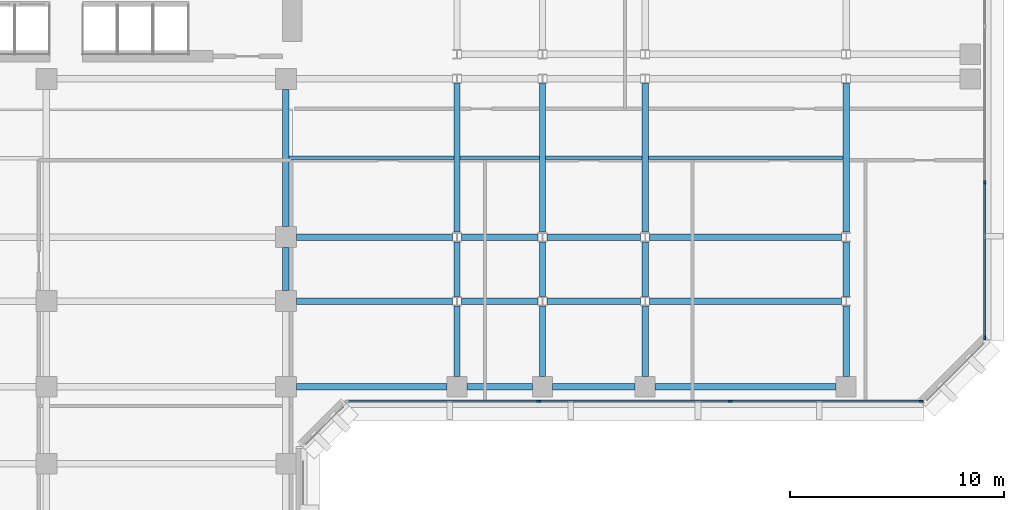
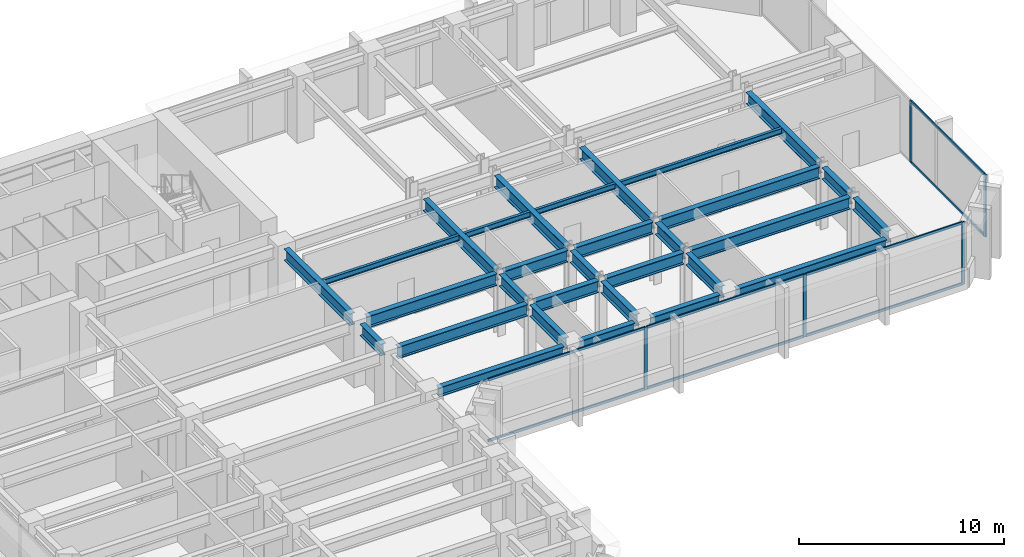
# One storey, part 3 of 13: 30 beams, 13 members, 2 elements without a shape of their own.
"""IFC4 building model written with IfcOpenShell, lengths in metres."""

from ifc_helpers import new_model, si_unit, direction, frame, origin, origin_2d, place, context, subcontext, project, spatial, rectangle, i_section, extrude, material, layer, layer_set, material_profile, profile_set, type_object, element, aggregate, save


model = new_model("IFC4")

# Units and contexts
model_context = context("Model", 3, precision=1e-05, world=origin(), true_north=direction((0.0, 1.0)))
body_context = subcontext(model_context, "Body", "Model", "MODEL_VIEW")
ifc_project = project(units=[si_unit("LENGTHUNIT", "METRE"), si_unit("AREAUNIT", "SQUARE_METRE"), si_unit("VOLUMEUNIT", "CUBIC_METRE"), si_unit("PLANEANGLEUNIT", "RADIAN"), si_unit("MASSUNIT", "GRAM", prefix="KILO")], contexts=[model_context])

# Site, building, storey
site_placement = place(None, origin())
site = spatial("IfcSite", under=ifc_project, at=site_placement, CompositionType="ELEMENT")
building_placement = place(site_placement, origin())
building = spatial("IfcBuilding", under=site, at=building_placement, Name="Kefirva Bronze Tower", CompositionType="ELEMENT")
storey_placement = place(building_placement, frame((0.0, 0.0, 102.6298828125)))
storey = spatial("IfcBuildingStorey", under=building, at=storey_placement, Name="L24", CompositionType="ELEMENT", Elevation=102.6298828125)

# Curtain wall, members
ifc_material_1 = material(Name="Bronze anodised aluminium", Category="aluminium")
ifc_layer = layer(ifc_material_1, 0.199951171875, Name="Bronze anodised aluminium")
ifc_layer_set = layer_set([ifc_layer], Name="Bronze anodised aluminium")
curtain_wall_type = type_object("IfcCurtainWallType", Name="Unitised Bronze Ribbon Curtain Wall Zone 1", PredefinedType="USERDEFINED", material=ifc_layer_set)
curtain_wall_1_placement = place(storey_placement, origin())
curtain_wall_1 = element("IfcCurtainWall", 1, at=curtain_wall_1_placement, inside=storey, type_object=curtain_wall_type, Name="L24 Curtain Wall 1", ObjectType="UNITISED CURTAIN WALL", PredefinedType="USERDEFINED")
ifc_material_profile_1 = material_profile(ifc_material_1, rectangle(XDim=0.074951171875, YDim=0.179931640625, at=origin_2d()), Name="ALU 75x180")
ifc_profile_set_1 = profile_set([ifc_material_profile_1], Name="Bronze anodised aluminium")
member_type_1 = type_object("IfcMemberType", Name="Bronze Mullion 75x180", PredefinedType="MULLION", material=ifc_profile_set_1)
member_1_placement = place(storey_placement, frame((35.018310546875, 18.1201171875, 0.0), z_axis=(0.0, 0.0, 1.0), x_axis=(0.0, 1.0, 0.0)))
member_1 = element("IfcMember", 2, at=member_1_placement, type_object=member_type_1, Name="CW-01 mullion 2", PredefinedType="MULLION", context=body_context, shape_type="SweptSolid", body=[
    extrude(rectangle(XDim=0.074951171875, YDim=0.179931640625, at=origin_2d()), origin(), (0.0, 0.0, 1.0), 3.710205078125),
])
member_2_placement = place(storey_placement, frame((43.981689453125, 18.1201171875, 0.0), z_axis=(0.0, 0.0, 1.0), x_axis=(0.0, 1.0, 0.0)))
member_2 = element("IfcMember", 3, at=member_2_placement, type_object=member_type_1, Name="CW-01 mullion 3", PredefinedType="MULLION", context=body_context, shape_type="SweptSolid", body=[
    extrude(rectangle(XDim=0.074951171875, YDim=0.179931640625, at=origin_2d()), origin(), (0.0, 0.0, 1.0), 3.710205078125),
])
member_3_placement = place(storey_placement, frame((52.907470703125, 18.1201171875, 0.0), z_axis=(0.0, 0.0, 1.0), x_axis=(0.0, 1.0, 0.0)))
member_3 = element("IfcMember", 4, at=member_3_placement, type_object=member_type_1, Name="CW-01 mullion 4", PredefinedType="MULLION", context=body_context, shape_type="SweptSolid", body=[
    extrude(rectangle(XDim=0.074951171875, YDim=0.179931640625, at=origin_2d()), origin(), (0.0, 0.0, 1.0), 3.710205078125),
])

curtain_wall_2_placement = place(storey_placement, origin())
curtain_wall_2 = element("IfcCurtainWall", 5, at=curtain_wall_2_placement, inside=storey, type_object=curtain_wall_type, Name="L24 Curtain Wall 2", ObjectType="UNITISED CURTAIN WALL", PredefinedType="USERDEFINED")
member_4_placement = place(storey_placement, frame((55.8798828125, 21.092529296875, 0.0), z_axis=(0.0, 0.0, 1.0), x_axis=(-1.0, 0.0, 0.0)))
member_4 = element("IfcMember", 6, at=member_4_placement, type_object=member_type_1, Name="CW-01 mullion 1", PredefinedType="MULLION", context=body_context, shape_type="SweptSolid", body=[
    extrude(rectangle(XDim=0.074951171875, YDim=0.179931640625, at=origin_2d()), origin(), (0.0, 0.0, 1.0), 3.710205078125),
])
member_5_placement = place(storey_placement, frame((55.8798828125, 28.3515625, 0.0), z_axis=(0.0, 0.0, 1.0), x_axis=(-1.0, 0.0, 0.0)))
member_5 = element("IfcMember", 7, at=member_5_placement, type_object=member_type_1, Name="CW-01 mullion 2", PredefinedType="MULLION", context=body_context, shape_type="SweptSolid", body=[
    extrude(rectangle(XDim=0.074951171875, YDim=0.179931640625, at=origin_2d()), origin(), (0.0, 0.0, 1.0), 3.710205078125),
])

# Member
ifc_material_profile_2 = material_profile(ifc_material_1, rectangle(XDim=0.074951171875, YDim=0.14990234375, at=origin_2d()), Name="ALU 75x150")
ifc_profile_set_2 = profile_set([ifc_material_profile_2], Name="Bronze anodised aluminium")
member_type_2 = type_object("IfcMemberType", Name="Bronze Transom 75x150", PredefinedType="USERDEFINED", material=ifc_profile_set_2)
member_6_placement = place(storey_placement, frame((26.1298828125, 18.1201171875, 0.03759765625), z_axis=(1.0, 0.0, 0.0), x_axis=(0.0, 1.0, 0.0)))
member_6 = element("IfcMember", 8, at=member_6_placement, type_object=member_type_2, Name="CW-01 transom 1.1", ObjectType="TRANSOM", PredefinedType="USERDEFINED", context=body_context, shape_type="SweptSolid", body=[
    extrude(rectangle(XDim=0.074951171875, YDim=0.14990234375, at=origin_2d()), origin(), (0.0, 0.0, 1.0), 8.850830078125),
])

member_7_placement = place(storey_placement, frame((26.1298828125, 18.1201171875, 3.672607421875), z_axis=(1.0, 0.0, 0.0), x_axis=(0.0, 1.0, 0.0)))
member_7 = element("IfcMember", 9, at=member_7_placement, type_object=member_type_2, Name="CW-01 transom 1.2", ObjectType="TRANSOM", PredefinedType="USERDEFINED", context=body_context, shape_type="SweptSolid", body=[
    extrude(rectangle(XDim=0.074951171875, YDim=0.14990234375, at=origin_2d()), origin(), (0.0, 0.0, 1.0), 8.850830078125),
])

member_8_placement = place(storey_placement, frame((35.055908203125, 18.1201171875, 0.03759765625), z_axis=(1.0, 0.0, 0.0), x_axis=(0.0, 1.0, 0.0)))
member_8 = element("IfcMember", 10, at=member_8_placement, type_object=member_type_2, Name="CW-01 transom 2.1", ObjectType="TRANSOM", PredefinedType="USERDEFINED", context=body_context, shape_type="SweptSolid", body=[
    extrude(rectangle(XDim=0.074951171875, YDim=0.14990234375, at=origin_2d()), origin(), (0.0, 0.0, 1.0), 8.88818359375),
])

member_9_placement = place(storey_placement, frame((35.055908203125, 18.1201171875, 3.672607421875), z_axis=(1.0, 0.0, 0.0), x_axis=(0.0, 1.0, 0.0)))
member_9 = element("IfcMember", 11, at=member_9_placement, type_object=member_type_2, Name="CW-01 transom 2.2", ObjectType="TRANSOM", PredefinedType="USERDEFINED", context=body_context, shape_type="SweptSolid", body=[
    extrude(rectangle(XDim=0.074951171875, YDim=0.14990234375, at=origin_2d()), origin(), (0.0, 0.0, 1.0), 8.88818359375),
])

member_10_placement = place(storey_placement, frame((44.019287109375, 18.1201171875, 0.03759765625), z_axis=(1.0, 0.0, 0.0), x_axis=(0.0, 1.0, 0.0)))
member_10 = element("IfcMember", 12, at=member_10_placement, type_object=member_type_2, Name="CW-01 transom 3.1", ObjectType="TRANSOM", PredefinedType="USERDEFINED", context=body_context, shape_type="SweptSolid", body=[
    extrude(rectangle(XDim=0.074951171875, YDim=0.14990234375, at=origin_2d()), origin(), (0.0, 0.0, 1.0), 8.850830078125),
])

member_11_placement = place(storey_placement, frame((44.019287109375, 18.1201171875, 3.672607421875), z_axis=(1.0, 0.0, 0.0), x_axis=(0.0, 1.0, 0.0)))
member_11 = element("IfcMember", 13, at=member_11_placement, type_object=member_type_2, Name="CW-01 transom 3.2", ObjectType="TRANSOM", PredefinedType="USERDEFINED", context=body_context, shape_type="SweptSolid", body=[
    extrude(rectangle(XDim=0.074951171875, YDim=0.14990234375, at=origin_2d()), origin(), (0.0, 0.0, 1.0), 8.850830078125),
])

aggregate(curtain_wall_1, [member_1, member_2, member_3, member_6, member_7, member_8, member_9, member_10, member_11])

member_12_placement = place(storey_placement, frame((55.8798828125, 21.1298828125, 0.03759765625), z_axis=(0.0, 1.0, 0.0), x_axis=(-1.0, 0.0, 0.0)))
member_12 = element("IfcMember", 14, at=member_12_placement, type_object=member_type_2, Name="CW-01 transom 1.1", ObjectType="TRANSOM", PredefinedType="USERDEFINED", context=body_context, shape_type="SweptSolid", body=[
    extrude(rectangle(XDim=0.074951171875, YDim=0.14990234375, at=origin_2d()), origin(), (0.0, 0.0, 1.0), 7.184326171875),
])

member_13_placement = place(storey_placement, frame((55.8798828125, 21.1298828125, 3.672607421875), z_axis=(0.0, 1.0, 0.0), x_axis=(-1.0, 0.0, 0.0)))
member_13 = element("IfcMember", 15, at=member_13_placement, type_object=member_type_2, Name="CW-01 transom 1.2", ObjectType="TRANSOM", PredefinedType="USERDEFINED", context=body_context, shape_type="SweptSolid", body=[
    extrude(rectangle(XDim=0.074951171875, YDim=0.14990234375, at=origin_2d()), origin(), (0.0, 0.0, 1.0), 7.184326171875),
])

aggregate(curtain_wall_2, [member_4, member_5, member_12, member_13])

# Beams
ifc_material_2 = material(Name="Steel S355", Category="steel")
ifc_material_profile_3 = material_profile(ifc_material_2, i_section(OverallWidth=0.159912109375, OverallDepth=0.330078125, WebThickness=0.007568359375, FlangeThickness=0.011474609375, at=origin_2d()), Name="IPE 330")
ifc_profile_set_3 = profile_set([ifc_material_profile_3], Name="Steel S355")
beam_type_1 = type_object("IfcBeamType", Name="Steel Floor Joist IPE 330", PredefinedType="JOIST", material=ifc_profile_set_3)
beam_1_placement = place(storey_placement, frame((23.35009765625, 29.5, 3.545166015625), z_axis=(1.0, 0.0, 0.0), x_axis=(0.0, 1.0, 0.0)))
element("IfcBeam", 16, at=beam_1_placement, inside=storey, type_object=beam_type_1, Name="L24 JST-L24-23-295", PredefinedType="JOIST", context=body_context, shape_type="SweptSolid", body=[
    extrude(i_section(OverallWidth=0.159912109375, OverallDepth=0.330078125, WebThickness=0.007568359375, FlangeThickness=0.011474609375, at=origin_2d()), origin(), (0.0, 0.0, 1.0), 7.699951171875),
])
beam_2_placement = place(storey_placement, frame((31.35009765625, 29.5, 3.545166015625), z_axis=(1.0, 0.0, 0.0), x_axis=(0.0, 1.0, 0.0)))
element("IfcBeam", 17, at=beam_2_placement, inside=storey, type_object=beam_type_1, Name="L24 JST-L24-31-295", PredefinedType="JOIST", context=body_context, shape_type="SweptSolid", body=[
    extrude(i_section(OverallWidth=0.159912109375, OverallDepth=0.330078125, WebThickness=0.007568359375, FlangeThickness=0.011474609375, at=origin_2d()), origin(), (0.0, 0.0, 1.0), 3.699951171875),
])
beam_3_placement = place(storey_placement, frame((35.35009765625, 29.5, 3.545166015625), z_axis=(1.0, 0.0, 0.0), x_axis=(0.0, 1.0, 0.0)))
element("IfcBeam", 18, at=beam_3_placement, inside=storey, type_object=beam_type_1, Name="L24 JST-L24-35-295", PredefinedType="JOIST", context=body_context, shape_type="SweptSolid", body=[
    extrude(i_section(OverallWidth=0.159912109375, OverallDepth=0.330078125, WebThickness=0.007568359375, FlangeThickness=0.011474609375, at=origin_2d()), origin(), (0.0, 0.0, 1.0), 4.5),
])
beam_4_placement = place(storey_placement, frame((40.14990234375, 29.5, 3.545166015625), z_axis=(1.0, 0.0, 0.0), x_axis=(0.0, 1.0, 0.0)))
element("IfcBeam", 19, at=beam_4_placement, inside=storey, type_object=beam_type_1, Name="L24 JST-L24-40-295", PredefinedType="JOIST", context=body_context, shape_type="SweptSolid", body=[
    extrude(i_section(OverallWidth=0.159912109375, OverallDepth=0.330078125, WebThickness=0.007568359375, FlangeThickness=0.011474609375, at=origin_2d()), origin(), (0.0, 0.0, 1.0), 9.10009765625),
])
ifc_material_profile_4 = material_profile(ifc_material_2, i_section(OverallWidth=0.300048828125, OverallDepth=0.699951171875, WebThickness=0.01708984375, FlangeThickness=0.031982421875, at=origin_2d()), Name="HEB 700")
ifc_profile_set_4 = profile_set([ifc_material_profile_4], Name="Steel S355")
beam_type_2 = type_object("IfcBeamType", Name="Steel Girder HEB 700", PredefinedType="USERDEFINED", material=ifc_profile_set_4)
beam_5_placement = place(storey_placement, frame((23.68994140625, 22.800048828125, 3.360107421875), z_axis=(1.0, 0.0, 0.0), x_axis=(0.0, 1.0, 0.0)))
element("IfcBeam", 20, at=beam_5_placement, inside=storey, type_object=beam_type_2, Name="L24 BM-L24-EW-23-228", ObjectType="GIRDER", PredefinedType="USERDEFINED", context=body_context, shape_type="SweptSolid", body=[
    extrude(i_section(OverallWidth=0.300048828125, OverallDepth=0.699951171875, WebThickness=0.01708984375, FlangeThickness=0.031982421875, at=origin_2d()), origin(), (0.0, 0.0, 1.0), 7.301025390625),
])
beam_6_placement = place(storey_placement, frame((31.408935546875, 22.800048828125, 3.360107421875), z_axis=(1.0, 0.0, 0.0), x_axis=(0.0, 1.0, 0.0)))
element("IfcBeam", 21, at=beam_6_placement, inside=storey, type_object=beam_type_2, Name="L24 BM-L24-EW-31-228", ObjectType="GIRDER", PredefinedType="USERDEFINED", context=body_context, shape_type="SweptSolid", body=[
    extrude(i_section(OverallWidth=0.300048828125, OverallDepth=0.699951171875, WebThickness=0.01708984375, FlangeThickness=0.031982421875, at=origin_2d()), origin(), (0.0, 0.0, 1.0), 3.58203125),
])
beam_7_placement = place(storey_placement, frame((35.408935546875, 22.800048828125, 3.360107421875), z_axis=(1.0, 0.0, 0.0), x_axis=(0.0, 1.0, 0.0)))
element("IfcBeam", 22, at=beam_7_placement, inside=storey, type_object=beam_type_2, Name="L24 BM-L24-EW-35-228", ObjectType="GIRDER", PredefinedType="USERDEFINED", context=body_context, shape_type="SweptSolid", body=[
    extrude(i_section(OverallWidth=0.300048828125, OverallDepth=0.699951171875, WebThickness=0.01708984375, FlangeThickness=0.031982421875, at=origin_2d()), origin(), (0.0, 0.0, 1.0), 4.382080078125),
])
beam_8_placement = place(storey_placement, frame((40.208984375, 22.800048828125, 3.360107421875), z_axis=(1.0, 0.0, 0.0), x_axis=(0.0, 1.0, 0.0)))
element("IfcBeam", 23, at=beam_8_placement, inside=storey, type_object=beam_type_2, Name="L24 BM-L24-EW-40-228", ObjectType="GIRDER", PredefinedType="USERDEFINED", context=body_context, shape_type="SweptSolid", body=[
    extrude(i_section(OverallWidth=0.300048828125, OverallDepth=0.699951171875, WebThickness=0.01708984375, FlangeThickness=0.031982421875, at=origin_2d()), origin(), (0.0, 0.0, 1.0), 8.98193359375),
])
beam_9_placement = place(storey_placement, frame((23.68994140625, 25.800048828125, 3.360107421875), z_axis=(1.0, 0.0, 0.0), x_axis=(0.0, 1.0, 0.0)))
element("IfcBeam", 24, at=beam_9_placement, inside=storey, type_object=beam_type_2, Name="L24 BM-L24-EW-23-258", ObjectType="GIRDER", PredefinedType="USERDEFINED", context=body_context, shape_type="SweptSolid", body=[
    extrude(i_section(OverallWidth=0.300048828125, OverallDepth=0.699951171875, WebThickness=0.01708984375, FlangeThickness=0.031982421875, at=origin_2d()), origin(), (0.0, 0.0, 1.0), 7.301025390625),
])
beam_10_placement = place(storey_placement, frame((31.408935546875, 25.800048828125, 3.360107421875), z_axis=(1.0, 0.0, 0.0), x_axis=(0.0, 1.0, 0.0)))
element("IfcBeam", 25, at=beam_10_placement, inside=storey, type_object=beam_type_2, Name="L24 BM-L24-EW-31-258", ObjectType="GIRDER", PredefinedType="USERDEFINED", context=body_context, shape_type="SweptSolid", body=[
    extrude(i_section(OverallWidth=0.300048828125, OverallDepth=0.699951171875, WebThickness=0.01708984375, FlangeThickness=0.031982421875, at=origin_2d()), origin(), (0.0, 0.0, 1.0), 3.58203125),
])
beam_11_placement = place(storey_placement, frame((35.408935546875, 25.800048828125, 3.360107421875), z_axis=(1.0, 0.0, 0.0), x_axis=(0.0, 1.0, 0.0)))
element("IfcBeam", 26, at=beam_11_placement, inside=storey, type_object=beam_type_2, Name="L24 BM-L24-EW-35-258", ObjectType="GIRDER", PredefinedType="USERDEFINED", context=body_context, shape_type="SweptSolid", body=[
    extrude(i_section(OverallWidth=0.300048828125, OverallDepth=0.699951171875, WebThickness=0.01708984375, FlangeThickness=0.031982421875, at=origin_2d()), origin(), (0.0, 0.0, 1.0), 4.382080078125),
])
beam_12_placement = place(storey_placement, frame((40.208984375, 25.800048828125, 3.360107421875), z_axis=(1.0, 0.0, 0.0), x_axis=(0.0, 1.0, 0.0)))
element("IfcBeam", 27, at=beam_12_placement, inside=storey, type_object=beam_type_2, Name="L24 BM-L24-EW-40-258", ObjectType="GIRDER", PredefinedType="USERDEFINED", context=body_context, shape_type="SweptSolid", body=[
    extrude(i_section(OverallWidth=0.300048828125, OverallDepth=0.699951171875, WebThickness=0.01708984375, FlangeThickness=0.031982421875, at=origin_2d()), origin(), (0.0, 0.0, 1.0), 8.98193359375),
])
beam_13_placement = place(storey_placement, frame((23.199951171875, 23.2900390625, 3.360107421875), z_axis=(0.0, 1.0, 0.0), x_axis=(-1.0, 0.0, 0.0)))
element("IfcBeam", 28, at=beam_13_placement, inside=storey, type_object=beam_type_2, Name="L24 BM-L24-NS-232-22", ObjectType="GIRDER", PredefinedType="USERDEFINED", context=body_context, shape_type="SweptSolid", body=[
    extrude(i_section(OverallWidth=0.300048828125, OverallDepth=0.699951171875, WebThickness=0.01708984375, FlangeThickness=0.031982421875, at=origin_2d()), origin(), (0.0, 0.0, 1.0), 2.02001953125),
])
beam_14_placement = place(storey_placement, frame((23.199951171875, 26.2900390625, 3.360107421875), z_axis=(0.0, 1.0, 0.0), x_axis=(-1.0, 0.0, 0.0)))
element("IfcBeam", 29, at=beam_14_placement, inside=storey, type_object=beam_type_2, Name="L24 BM-L24-NS-232-25", ObjectType="GIRDER", PredefinedType="USERDEFINED", context=body_context, shape_type="SweptSolid", body=[
    extrude(i_section(OverallWidth=0.300048828125, OverallDepth=0.699951171875, WebThickness=0.01708984375, FlangeThickness=0.031982421875, at=origin_2d()), origin(), (0.0, 0.0, 1.0), 6.419921875),
])
beam_15_placement = place(storey_placement, frame((31.199951171875, 19.27001953125, 3.360107421875), z_axis=(0.0, 1.0, 0.0), x_axis=(-1.0, 0.0, 0.0)))
element("IfcBeam", 30, at=beam_15_placement, inside=storey, type_object=beam_type_2, Name="L24 BM-L24-NS-312-18", ObjectType="GIRDER", PredefinedType="USERDEFINED", context=body_context, shape_type="SweptSolid", body=[
    extrude(i_section(OverallWidth=0.300048828125, OverallDepth=0.699951171875, WebThickness=0.01708984375, FlangeThickness=0.031982421875, at=origin_2d()), origin(), (0.0, 0.0, 1.0), 3.302490234375),
])
beam_16_placement = place(storey_placement, frame((31.199951171875, 23.027587890625, 3.360107421875), z_axis=(0.0, 1.0, 0.0), x_axis=(-1.0, 0.0, 0.0)))
element("IfcBeam", 31, at=beam_16_placement, inside=storey, type_object=beam_type_2, Name="L24 BM-L24-NS-312-22", ObjectType="GIRDER", PredefinedType="USERDEFINED", context=body_context, shape_type="SweptSolid", body=[
    extrude(i_section(OverallWidth=0.300048828125, OverallDepth=0.699951171875, WebThickness=0.01708984375, FlangeThickness=0.031982421875, at=origin_2d()), origin(), (0.0, 0.0, 1.0), 2.544921875),
])
beam_17_placement = place(storey_placement, frame((31.199951171875, 26.027587890625, 3.360107421875), z_axis=(0.0, 1.0, 0.0), x_axis=(-1.0, 0.0, 0.0)))
element("IfcBeam", 32, at=beam_17_placement, inside=storey, type_object=beam_type_2, Name="L24 BM-L24-NS-312-25", ObjectType="GIRDER", PredefinedType="USERDEFINED", context=body_context, shape_type="SweptSolid", body=[
    extrude(i_section(OverallWidth=0.300048828125, OverallDepth=0.699951171875, WebThickness=0.01708984375, FlangeThickness=0.031982421875, at=origin_2d()), origin(), (0.0, 0.0, 1.0), 6.94482421875),
])
beam_18_placement = place(storey_placement, frame((35.199951171875, 19.27001953125, 3.360107421875), z_axis=(0.0, 1.0, 0.0), x_axis=(-1.0, 0.0, 0.0)))
element("IfcBeam", 33, at=beam_18_placement, inside=storey, type_object=beam_type_2, Name="L24 BM-L24-NS-352-18", ObjectType="GIRDER", PredefinedType="USERDEFINED", context=body_context, shape_type="SweptSolid", body=[
    extrude(i_section(OverallWidth=0.300048828125, OverallDepth=0.699951171875, WebThickness=0.01708984375, FlangeThickness=0.031982421875, at=origin_2d()), origin(), (0.0, 0.0, 1.0), 3.302490234375),
])
beam_19_placement = place(storey_placement, frame((35.199951171875, 23.027587890625, 3.360107421875), z_axis=(0.0, 1.0, 0.0), x_axis=(-1.0, 0.0, 0.0)))
element("IfcBeam", 34, at=beam_19_placement, inside=storey, type_object=beam_type_2, Name="L24 BM-L24-NS-352-22", ObjectType="GIRDER", PredefinedType="USERDEFINED", context=body_context, shape_type="SweptSolid", body=[
    extrude(i_section(OverallWidth=0.300048828125, OverallDepth=0.699951171875, WebThickness=0.01708984375, FlangeThickness=0.031982421875, at=origin_2d()), origin(), (0.0, 0.0, 1.0), 2.544921875),
])
beam_20_placement = place(storey_placement, frame((35.199951171875, 26.027587890625, 3.360107421875), z_axis=(0.0, 1.0, 0.0), x_axis=(-1.0, 0.0, 0.0)))
element("IfcBeam", 35, at=beam_20_placement, inside=storey, type_object=beam_type_2, Name="L24 BM-L24-NS-352-25", ObjectType="GIRDER", PredefinedType="USERDEFINED", context=body_context, shape_type="SweptSolid", body=[
    extrude(i_section(OverallWidth=0.300048828125, OverallDepth=0.699951171875, WebThickness=0.01708984375, FlangeThickness=0.031982421875, at=origin_2d()), origin(), (0.0, 0.0, 1.0), 6.94482421875),
])
beam_21_placement = place(storey_placement, frame((40.0, 19.27001953125, 3.360107421875), z_axis=(0.0, 1.0, 0.0), x_axis=(-1.0, 0.0, 0.0)))
element("IfcBeam", 36, at=beam_21_placement, inside=storey, type_object=beam_type_2, Name="L24 BM-L24-NS-400-18", ObjectType="GIRDER", PredefinedType="USERDEFINED", context=body_context, shape_type="SweptSolid", body=[
    extrude(i_section(OverallWidth=0.300048828125, OverallDepth=0.699951171875, WebThickness=0.01708984375, FlangeThickness=0.031982421875, at=origin_2d()), origin(), (0.0, 0.0, 1.0), 3.302490234375),
])
beam_22_placement = place(storey_placement, frame((40.0, 23.027587890625, 3.360107421875), z_axis=(0.0, 1.0, 0.0), x_axis=(-1.0, 0.0, 0.0)))
element("IfcBeam", 37, at=beam_22_placement, inside=storey, type_object=beam_type_2, Name="L24 BM-L24-NS-400-22", ObjectType="GIRDER", PredefinedType="USERDEFINED", context=body_context, shape_type="SweptSolid", body=[
    extrude(i_section(OverallWidth=0.300048828125, OverallDepth=0.699951171875, WebThickness=0.01708984375, FlangeThickness=0.031982421875, at=origin_2d()), origin(), (0.0, 0.0, 1.0), 2.544921875),
])
beam_23_placement = place(storey_placement, frame((40.0, 26.027587890625, 3.360107421875), z_axis=(0.0, 1.0, 0.0), x_axis=(-1.0, 0.0, 0.0)))
element("IfcBeam", 38, at=beam_23_placement, inside=storey, type_object=beam_type_2, Name="L24 BM-L24-NS-400-25", ObjectType="GIRDER", PredefinedType="USERDEFINED", context=body_context, shape_type="SweptSolid", body=[
    extrude(i_section(OverallWidth=0.300048828125, OverallDepth=0.699951171875, WebThickness=0.01708984375, FlangeThickness=0.031982421875, at=origin_2d()), origin(), (0.0, 0.0, 1.0), 6.94482421875),
])
beam_24_placement = place(storey_placement, frame((49.39990234375, 19.27001953125, 3.360107421875), z_axis=(0.0, 1.0, 0.0), x_axis=(-1.0, 0.0, 0.0)))
element("IfcBeam", 39, at=beam_24_placement, inside=storey, type_object=beam_type_2, Name="L24 BM-L24-NS-494-18", ObjectType="GIRDER", PredefinedType="USERDEFINED", context=body_context, shape_type="SweptSolid", body=[
    extrude(i_section(OverallWidth=0.300048828125, OverallDepth=0.699951171875, WebThickness=0.01708984375, FlangeThickness=0.031982421875, at=origin_2d()), origin(), (0.0, 0.0, 1.0), 3.302490234375),
])
beam_25_placement = place(storey_placement, frame((49.39990234375, 23.027587890625, 3.360107421875), z_axis=(0.0, 1.0, 0.0), x_axis=(-1.0, 0.0, 0.0)))
element("IfcBeam", 40, at=beam_25_placement, inside=storey, type_object=beam_type_2, Name="L24 BM-L24-NS-494-22", ObjectType="GIRDER", PredefinedType="USERDEFINED", context=body_context, shape_type="SweptSolid", body=[
    extrude(i_section(OverallWidth=0.300048828125, OverallDepth=0.699951171875, WebThickness=0.01708984375, FlangeThickness=0.031982421875, at=origin_2d()), origin(), (0.0, 0.0, 1.0), 2.544921875),
])
beam_26_placement = place(storey_placement, frame((49.39990234375, 26.027587890625, 3.360107421875), z_axis=(0.0, 1.0, 0.0), x_axis=(-1.0, 0.0, 0.0)))
element("IfcBeam", 41, at=beam_26_placement, inside=storey, type_object=beam_type_2, Name="L24 BM-L24-NS-494-25", ObjectType="GIRDER", PredefinedType="USERDEFINED", context=body_context, shape_type="SweptSolid", body=[
    extrude(i_section(OverallWidth=0.300048828125, OverallDepth=0.699951171875, WebThickness=0.01708984375, FlangeThickness=0.031982421875, at=origin_2d()), origin(), (0.0, 0.0, 1.0), 6.94482421875),
])
ifc_material_profile_5 = material_profile(ifc_material_2, i_section(OverallWidth=0.300048828125, OverallDepth=0.550048828125, WebThickness=0.014892578125, FlangeThickness=0.029052734375, at=origin_2d()), Name="HEB 550")
ifc_profile_set_5 = profile_set([ifc_material_profile_5], Name="Steel S355")
beam_type_3 = type_object("IfcBeamType", Name="Steel Spandrel HEB 550 Ext", PredefinedType="SPANDREL", material=ifc_profile_set_5)
beam_27_placement = place(storey_placement, frame((23.68994140625, 18.800048828125, 3.43505859375), z_axis=(1.0, 0.0, 0.0), x_axis=(0.0, 1.0, 0.0)))
element("IfcBeam", 42, at=beam_27_placement, inside=storey, type_object=beam_type_3, Name="L24 BM-L24-EW-23-188", PredefinedType="SPANDREL", context=body_context, shape_type="SweptSolid", body=[
    extrude(i_section(OverallWidth=0.300048828125, OverallDepth=0.550048828125, WebThickness=0.014892578125, FlangeThickness=0.029052734375, at=origin_2d()), origin(), (0.0, 0.0, 1.0), 7.0400390625),
])
beam_28_placement = place(storey_placement, frame((31.669921875, 18.800048828125, 3.43505859375), z_axis=(1.0, 0.0, 0.0), x_axis=(0.0, 1.0, 0.0)))
element("IfcBeam", 43, at=beam_28_placement, inside=storey, type_object=beam_type_3, Name="L24 BM-L24-EW-31-188", PredefinedType="SPANDREL", context=body_context, shape_type="SweptSolid", body=[
    extrude(i_section(OverallWidth=0.300048828125, OverallDepth=0.550048828125, WebThickness=0.014892578125, FlangeThickness=0.029052734375, at=origin_2d()), origin(), (0.0, 0.0, 1.0), 3.06005859375),
])
beam_29_placement = place(storey_placement, frame((35.669921875, 18.800048828125, 3.43505859375), z_axis=(1.0, 0.0, 0.0), x_axis=(0.0, 1.0, 0.0)))
element("IfcBeam", 44, at=beam_29_placement, inside=storey, type_object=beam_type_3, Name="L24 BM-L24-EW-35-188", PredefinedType="SPANDREL", context=body_context, shape_type="SweptSolid", body=[
    extrude(i_section(OverallWidth=0.300048828125, OverallDepth=0.550048828125, WebThickness=0.014892578125, FlangeThickness=0.029052734375, at=origin_2d()), origin(), (0.0, 0.0, 1.0), 3.860107421875),
])
beam_30_placement = place(storey_placement, frame((40.469970703125, 18.800048828125, 3.43505859375), z_axis=(1.0, 0.0, 0.0), x_axis=(0.0, 1.0, 0.0)))
element("IfcBeam", 45, at=beam_30_placement, inside=storey, type_object=beam_type_3, Name="L24 BM-L24-EW-40-188", PredefinedType="SPANDREL", context=body_context, shape_type="SweptSolid", body=[
    extrude(i_section(OverallWidth=0.300048828125, OverallDepth=0.550048828125, WebThickness=0.014892578125, FlangeThickness=0.029052734375, at=origin_2d()), origin(), (0.0, 0.0, 1.0), 8.4599609375),
])

save(model, "model.ifc")
